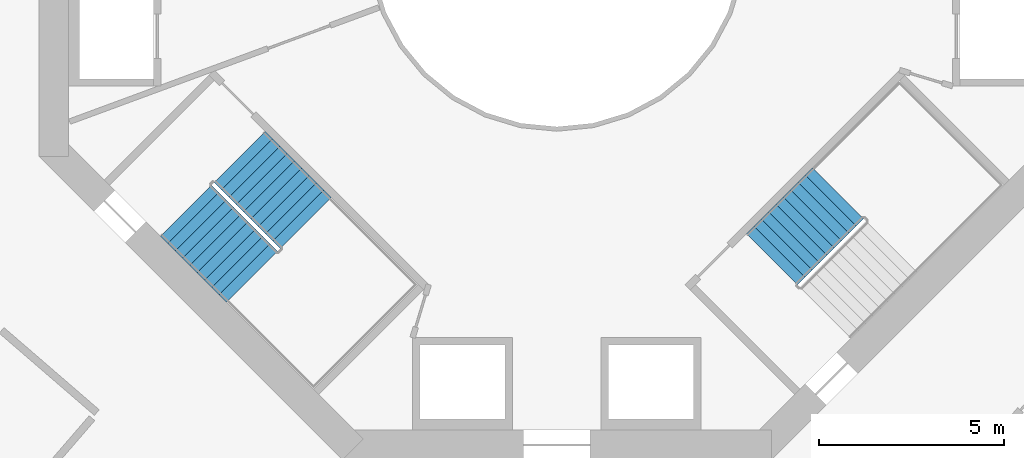
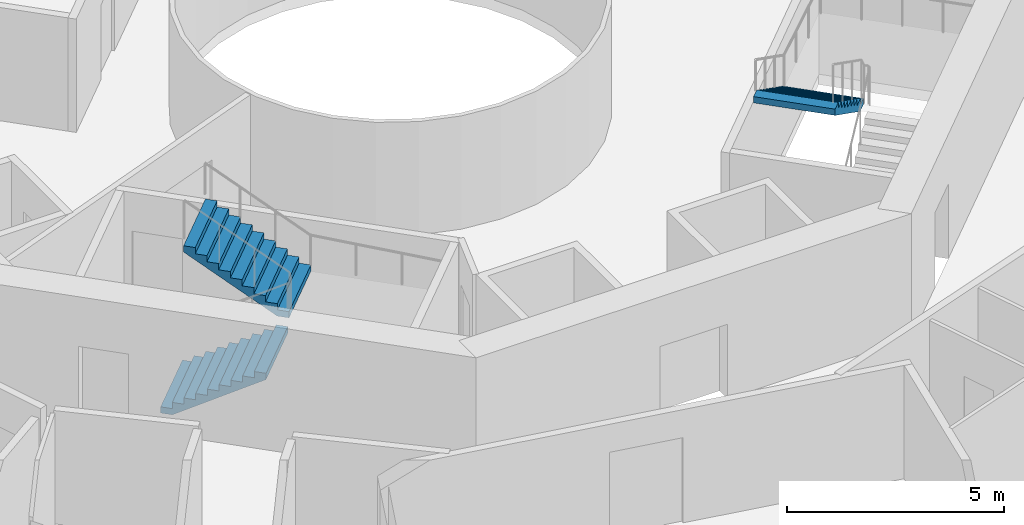
# One storey, part 21 of 23: 3 stair flights, 2 elements without a shape of their own.
"""IFC4 building model written with IfcOpenShell, lengths in metres."""

from ifc_helpers import new_model, si_unit, direction, frame, origin, place, context, subcontext, project, spatial, triangles, material, type_object, element, aggregate, save


model = new_model("IFC4")

# Units and contexts
model_context = context("Model", 3, precision=1e-05, world=origin(), true_north=direction((0.0, 1.0)))
body_context = subcontext(model_context, "Body", "Model", "MODEL_VIEW")
ifc_project = project(units=[si_unit("LENGTHUNIT", "METRE"), si_unit("AREAUNIT", "SQUARE_METRE"), si_unit("VOLUMEUNIT", "CUBIC_METRE"), si_unit("PLANEANGLEUNIT", "RADIAN"), si_unit("MASSUNIT", "GRAM", prefix="KILO")], contexts=[model_context])

# Site, building, storey
site_placement = place(None, origin())
site = spatial("IfcSite", under=ifc_project, at=site_placement, CompositionType="ELEMENT")
building_placement = place(site_placement, origin())
building = spatial("IfcBuilding", under=site, at=building_placement, Name="Verdalira Terraces Hotel", CompositionType="ELEMENT")
storey_placement = place(building_placement, frame((0.0, 0.0, 111.5)))
storey = spatial("IfcBuildingStorey", under=building, at=storey_placement, Name="L26", CompositionType="ELEMENT", Elevation=111.5)

# Stair, stair flights
ifc_material_1 = material(Name="Concrete C40", Category="concrete")
stair_type = type_object("IfcStairType", Name="Core stair 20 risers 1950 mm wide", PredefinedType="HALF_TURN_STAIR", material=ifc_material_1)
stair_1_placement = place(storey_placement, origin())
stair_1 = element("IfcStair", 1, at=stair_1_placement, inside=storey, type_object=stair_type, Name="L26 Exit stair ST2", PredefinedType="HALF_TURN_STAIR")
ifc_material_2 = material(Name="Concrete C40", Category="concrete")
stair_flight_type = type_object("IfcStairFlightType", Name="Core stair flight 20 risers 1950 mm wide", PredefinedType="STRAIGHT", material=ifc_material_2)
stair_flight_1_placement = place(storey_placement, frame((-10.023193, -7.265625, 0.0), z_axis=(0.0, 0.0, 1.0), x_axis=(0.707106781, -0.707106781, 0.0)))
stair_flight_1 = element("IfcStairFlight", 2, at=stair_flight_1_placement, type_object=stair_flight_type, Name="ST2 flight 1", NumberOfRisers=10, NumberOfTreads=9, PredefinedType="STRAIGHT", RiserHeight=0.175, TreadLength=0.28, context=body_context, shape_type="Tessellation", body=[
    triangles([(0.0, 0.974976, 0.0), (0.282715, 0.974976, 0.0), (2.52002, 0.974976, 1.398193), (0.0, -0.974976, 0.0), (0.282715, -0.974976, 0.0), (2.52002, -0.974976, 1.398193), (2.52002, 0.974976, 1.574951), (2.23999, 0.974976, 1.574951), (2.52002, -0.974976, 1.574951), (2.23999, -0.974976, 1.574951), (2.23999, 0.974976, 1.399902), (2.23999, -0.974976, 1.399902), (1.959961, 0.974976, 1.399902), (1.959961, -0.974976, 1.399902), (1.959961, 0.974976, 1.225098), (1.959961, -0.974976, 1.225098), (1.679932, 0.974976, 1.225098), (1.679932, 0.974976, 1.050049), (1.679932, -0.974976, 1.225098), (1.679932, -0.974976, 1.050049), (1.399902, 0.974976, 1.050049), (1.399902, 0.974976, 0.875), (1.399902, -0.974976, 1.050049), (1.399902, -0.974976, 0.875), (1.120117, 0.974976, 0.875), (1.120117, 0.974976, 0.699951), (1.120117, -0.974976, 0.875), (1.120117, -0.974976, 0.699951), (0.840088, 0.974976, 0.699951), (0.840088, 0.974976, 0.524902), (0.840088, -0.974976, 0.699951), (0.840088, -0.974976, 0.524902), (0.560059, 0.974976, 0.524902), (0.560059, 0.974976, 0.350098), (0.560059, -0.974976, 0.524902), (0.560059, -0.974976, 0.350098), (0.280029, 0.974976, 0.350098), (0.280029, 0.974976, 0.175049), (0.280029, -0.974976, 0.350098), (0.280029, -0.974976, 0.175049), (0.0, 0.974976, 0.175049), (0.0, -0.974976, 0.175049), (0.0, -0.91404, 0.0), (0.0, -0.91404, 0.175049), (0.0, -0.853104, 0.0), (0.0, -0.853104, 0.175049), (0.0, -0.792168, 0.0), (0.0, -0.792168, 0.175049), (0.0, -0.731232, 0.0), (0.0, -0.731232, 0.175049), (0.0, -0.670296, 0.0), (0.0, -0.670296, 0.175049), (0.0, -0.60936, 0.0), (0.0, -0.60936, 0.175049), (0.0, -0.548424, 0.0), (0.0, -0.548424, 0.175049), (0.0, -0.487488, 0.0), (0.0, -0.487488, 0.175049), (0.0, -0.426552, 0.0), (0.0, -0.426552, 0.175049), (0.0, -0.365616, 0.0), (0.0, -0.365616, 0.175049), (0.0, -0.30468, 0.0), (0.0, -0.30468, 0.175049), (0.0, -0.243744, 0.0), (0.0, -0.243744, 0.175049), (0.0, -0.182808, 0.0), (0.0, -0.182808, 0.175049), (0.0, -0.121872, 0.0), (0.0, -0.121872, 0.175049), (0.0, -0.060936, 0.0), (0.0, -0.060936, 0.175049), (0.0, 0.0, 0.0), (0.0, 0.0, 0.175049), (0.0, 0.060936, 0.0), (0.0, 0.060936, 0.175049), (0.0, 0.121872, 0.0), (0.0, 0.121872, 0.175049), (0.0, 0.182808, 0.0), (0.0, 0.182808, 0.175049), (0.0, 0.243744, 0.0), (0.0, 0.243744, 0.175049), (0.0, 0.30468, 0.0), (0.0, 0.30468, 0.175049), (0.0, 0.365616, 0.0), (0.0, 0.365616, 0.175049), (0.0, 0.426552, 0.0), (0.0, 0.426552, 0.175049), (0.0, 0.487488, 0.0), (0.0, 0.487488, 0.175049), (0.0, 0.548424, 0.0), (0.0, 0.548424, 0.175049), (0.0, 0.60936, 0.0), (0.0, 0.60936, 0.175049), (0.0, 0.670296, 0.0), (0.0, 0.670296, 0.175049), (0.0, 0.731232, 0.0), (0.0, 0.731232, 0.175049), (0.0, 0.792168, 0.0), (0.0, 0.792168, 0.175049), (0.0, 0.853104, 0.0), (0.0, 0.853104, 0.175049), (0.0, 0.91404, 0.0), (0.0, 0.91404, 0.175049), (2.52002, -0.91404, 1.574951), (2.52002, -0.853104, 1.574951), (2.52002, -0.792168, 1.574951), (2.52002, -0.731232, 1.574951), (2.52002, -0.670296, 1.574951), (2.52002, -0.60936, 1.574951), (2.52002, -0.548424, 1.574951), (2.52002, -0.487488, 1.574951), (2.52002, -0.426552, 1.574951), (2.52002, -0.365616, 1.574951), (2.52002, -0.30468, 1.574951), (2.52002, -0.243744, 1.574951), (2.52002, -0.182808, 1.574951), (2.52002, -0.121872, 1.574951), (2.52002, -0.060936, 1.574951), (2.52002, 0.0, 1.574951), (2.52002, 0.060936, 1.574951), (2.52002, 0.121872, 1.574951), (2.52002, 0.182808, 1.574951), (2.52002, 0.243744, 1.574951), (2.52002, 0.30468, 1.574951), (2.52002, 0.365616, 1.574951), (2.52002, 0.426552, 1.574951), (2.52002, 0.487488, 1.574951), (2.52002, 0.548424, 1.574951), (2.52002, 0.60936, 1.574951), (2.52002, 0.670296, 1.574951), (2.52002, 0.731232, 1.574951), (2.52002, 0.792168, 1.574951), (2.52002, 0.853104, 1.574951), (2.52002, 0.91404, 1.574951), (2.52002, -0.91404, 1.398193), (2.52002, -0.853104, 1.398193), (2.52002, -0.792168, 1.398193), (2.52002, -0.731232, 1.398193), (2.52002, -0.670296, 1.398193), (2.52002, -0.60936, 1.398193), (2.52002, -0.548424, 1.398193), (2.52002, -0.487488, 1.398193), (2.52002, -0.426552, 1.398193), (2.52002, -0.365616, 1.398193), (2.52002, -0.30468, 1.398193), (2.52002, -0.243744, 1.398193), (2.52002, -0.182808, 1.398193), (2.52002, -0.121872, 1.398193), (2.52002, -0.060936, 1.398193), (2.52002, 0.0, 1.398193), (2.52002, 0.060936, 1.398193), (2.52002, 0.121872, 1.398193), (2.52002, 0.182808, 1.398193), (2.52002, 0.243744, 1.398193), (2.52002, 0.30468, 1.398193), (2.52002, 0.365616, 1.398193), (2.52002, 0.426552, 1.398193), (2.52002, 0.487488, 1.398193), (2.52002, 0.548424, 1.398193), (2.52002, 0.60936, 1.398193), (2.52002, 0.670296, 1.398193), (2.52002, 0.731232, 1.398193), (2.52002, 0.792168, 1.398193), (2.52002, 0.853104, 1.398193), (2.52002, 0.91404, 1.398193)], [[1, 3, 2], [4, 5, 6], [3, 8, 7], [6, 9, 10], [3, 11, 8], [6, 10, 12], [3, 13, 11], [6, 12, 14], [3, 15, 13], [6, 14, 16], [15, 18, 17], [16, 19, 20], [3, 18, 15], [6, 16, 20], [18, 22, 21], [20, 23, 24], [3, 22, 18], [6, 20, 24], [22, 26, 25], [24, 27, 28], [3, 26, 22], [6, 24, 28], [26, 30, 29], [28, 31, 32], [3, 30, 26], [6, 28, 32], [1, 30, 3], [4, 6, 32], [30, 34, 33], [32, 35, 36], [34, 38, 37], [36, 39, 40], [30, 38, 34], [32, 36, 40], [1, 38, 30], [4, 32, 40], [38, 1, 41], [40, 42, 4], [4, 44, 43], [4, 42, 44], [43, 46, 45], [43, 44, 46], [45, 48, 47], [45, 46, 48], [47, 50, 49], [47, 48, 50], [49, 52, 51], [49, 50, 52], [51, 54, 53], [51, 52, 54], [53, 56, 55], [53, 54, 56], [55, 58, 57], [55, 56, 58], [57, 60, 59], [57, 58, 60], [59, 62, 61], [59, 60, 62], [61, 64, 63], [61, 62, 64], [63, 66, 65], [63, 64, 66], [65, 68, 67], [65, 66, 68], [67, 70, 69], [67, 68, 70], [69, 72, 71], [69, 70, 72], [71, 74, 73], [71, 72, 74], [73, 76, 75], [73, 74, 76], [75, 78, 77], [75, 76, 78], [77, 80, 79], [77, 78, 80], [79, 82, 81], [79, 80, 82], [81, 84, 83], [81, 82, 84], [83, 86, 85], [83, 84, 86], [85, 88, 87], [85, 86, 88], [87, 90, 89], [87, 88, 90], [89, 92, 91], [89, 90, 92], [91, 94, 93], [91, 92, 94], [93, 96, 95], [93, 94, 96], [95, 98, 97], [95, 96, 98], [97, 100, 99], [97, 98, 100], [99, 102, 101], [99, 100, 102], [101, 104, 103], [101, 102, 104], [103, 41, 1], [103, 104, 41], [42, 40, 44], [44, 40, 46], [46, 40, 48], [48, 40, 50], [50, 40, 52], [52, 40, 54], [54, 40, 56], [56, 40, 58], [58, 40, 60], [60, 40, 62], [62, 40, 64], [64, 40, 66], [66, 40, 68], [68, 40, 70], [70, 40, 72], [72, 40, 74], [74, 40, 76], [76, 40, 78], [78, 40, 80], [80, 40, 82], [82, 40, 84], [84, 40, 86], [86, 40, 88], [88, 40, 90], [90, 40, 92], [92, 40, 94], [94, 40, 96], [96, 40, 98], [98, 40, 100], [100, 40, 102], [102, 40, 104], [104, 40, 41], [41, 40, 38], [40, 37, 38], [40, 39, 37], [39, 34, 37], [39, 36, 34], [36, 33, 34], [36, 35, 33], [35, 30, 33], [35, 32, 30], [32, 29, 30], [32, 31, 29], [31, 26, 29], [31, 28, 26], [28, 25, 26], [28, 27, 25], [27, 22, 25], [27, 24, 22], [24, 21, 22], [24, 23, 21], [23, 18, 21], [23, 20, 18], [20, 17, 18], [20, 19, 17], [19, 15, 17], [19, 16, 15], [16, 13, 15], [16, 14, 13], [14, 11, 13], [14, 12, 11], [12, 8, 11], [12, 10, 8], [9, 105, 10], [105, 106, 10], [106, 107, 10], [107, 108, 10], [108, 109, 10], [109, 110, 10], [110, 111, 10], [111, 112, 10], [112, 113, 10], [113, 114, 10], [114, 115, 10], [115, 116, 10], [116, 117, 10], [117, 118, 10], [118, 119, 10], [119, 120, 10], [120, 121, 10], [121, 122, 10], [122, 123, 10], [123, 124, 10], [124, 125, 10], [125, 126, 10], [126, 127, 10], [127, 128, 10], [128, 129, 10], [129, 130, 10], [130, 131, 10], [131, 132, 10], [132, 133, 10], [133, 134, 10], [134, 135, 10], [135, 7, 10], [7, 8, 10], [9, 136, 105], [9, 6, 136], [105, 137, 106], [105, 136, 137], [106, 138, 107], [106, 137, 138], [107, 139, 108], [107, 138, 139], [108, 140, 109], [108, 139, 140], [109, 141, 110], [109, 140, 141], [110, 142, 111], [110, 141, 142], [111, 143, 112], [111, 142, 143], [112, 144, 113], [112, 143, 144], [113, 145, 114], [113, 144, 145], [114, 146, 115], [114, 145, 146], [115, 147, 116], [115, 146, 147], [116, 148, 117], [116, 147, 148], [117, 149, 118], [117, 148, 149], [118, 150, 119], [118, 149, 150], [119, 151, 120], [119, 150, 151], [120, 152, 121], [120, 151, 152], [121, 153, 122], [121, 152, 153], [122, 154, 123], [122, 153, 154], [123, 155, 124], [123, 154, 155], [124, 156, 125], [124, 155, 156], [125, 157, 126], [125, 156, 157], [126, 158, 127], [126, 157, 158], [127, 159, 128], [127, 158, 159], [128, 160, 129], [128, 159, 160], [129, 161, 130], [129, 160, 161], [130, 162, 131], [130, 161, 162], [131, 163, 132], [131, 162, 163], [132, 164, 133], [132, 163, 164], [133, 165, 134], [133, 164, 165], [134, 166, 135], [134, 165, 166], [135, 3, 7], [135, 166, 3], [6, 5, 136], [136, 5, 137], [137, 5, 138], [138, 5, 139], [139, 5, 140], [140, 5, 141], [141, 5, 142], [142, 5, 143], [143, 5, 144], [144, 5, 145], [145, 5, 146], [146, 5, 147], [147, 5, 148], [148, 5, 149], [149, 5, 150], [150, 5, 151], [151, 5, 152], [152, 5, 153], [153, 5, 154], [154, 5, 155], [155, 5, 156], [156, 5, 157], [157, 5, 158], [158, 5, 159], [159, 5, 160], [160, 5, 161], [161, 5, 162], [162, 5, 163], [163, 5, 164], [164, 5, 165], [165, 5, 166], [166, 5, 3], [3, 5, 2], [4, 43, 5], [43, 45, 5], [45, 47, 5], [47, 49, 5], [49, 51, 5], [51, 53, 5], [53, 55, 5], [55, 57, 5], [57, 59, 5], [59, 61, 5], [61, 63, 5], [63, 65, 5], [65, 67, 5], [67, 69, 5], [69, 71, 5], [71, 73, 5], [73, 75, 5], [75, 77, 5], [77, 79, 5], [79, 81, 5], [81, 83, 5], [83, 85, 5], [85, 87, 5], [87, 89, 5], [89, 91, 5], [91, 93, 5], [93, 95, 5], [95, 97, 5], [97, 99, 5], [99, 101, 5], [101, 103, 5], [103, 1, 5], [1, 2, 5]], closed=True),
])
stair_flight_2_placement = place(storey_placement, frame((-6.791748, -7.5979, 1.75), z_axis=(0.0, 0.0, 1.0), x_axis=(-0.707106781, 0.707106781, 0.0)))
stair_flight_2 = element("IfcStairFlight", 3, at=stair_flight_2_placement, type_object=stair_flight_type, Name="ST2 flight 2", NumberOfRisers=10, NumberOfTreads=9, PredefinedType="STRAIGHT", RiserHeight=0.175, TreadLength=0.28, context=body_context, shape_type="Tessellation", body=[
    triangles([(0.0, 0.974976, 0.0), (0.282715, 0.974976, 0.0), (2.52002, 0.974976, 1.398193), (0.0, -0.974976, 0.0), (0.282715, -0.974976, 0.0), (2.52002, -0.974976, 1.398193), (2.52002, 0.974976, 1.574951), (2.23999, 0.974976, 1.574951), (2.52002, -0.974976, 1.574951), (2.23999, -0.974976, 1.574951), (2.23999, 0.974976, 1.399902), (2.23999, -0.974976, 1.399902), (1.959961, 0.974976, 1.399902), (1.959961, -0.974976, 1.399902), (1.959961, 0.974976, 1.225098), (1.959961, -0.974976, 1.225098), (1.679932, 0.974976, 1.225098), (1.679932, 0.974976, 1.050049), (1.679932, -0.974976, 1.225098), (1.679932, -0.974976, 1.050049), (1.399902, 0.974976, 1.050049), (1.399902, 0.974976, 0.875), (1.399902, -0.974976, 1.050049), (1.399902, -0.974976, 0.875), (1.120117, 0.974976, 0.875), (1.120117, 0.974976, 0.699951), (1.120117, -0.974976, 0.875), (1.120117, -0.974976, 0.699951), (0.840088, 0.974976, 0.699951), (0.840088, 0.974976, 0.524902), (0.840088, -0.974976, 0.699951), (0.840088, -0.974976, 0.524902), (0.560059, 0.974976, 0.524902), (0.560059, 0.974976, 0.350098), (0.560059, -0.974976, 0.524902), (0.560059, -0.974976, 0.350098), (0.280029, 0.974976, 0.350098), (0.280029, 0.974976, 0.175049), (0.280029, -0.974976, 0.350098), (0.280029, -0.974976, 0.175049), (0.0, 0.974976, 0.175049), (0.0, -0.974976, 0.175049), (0.0, -0.91404, 0.0), (0.0, -0.91404, 0.175049), (0.0, -0.853104, 0.0), (0.0, -0.853104, 0.175049), (0.0, -0.792168, 0.0), (0.0, -0.792168, 0.175049), (0.0, -0.731232, 0.0), (0.0, -0.731232, 0.175049), (0.0, -0.670296, 0.0), (0.0, -0.670296, 0.175049), (0.0, -0.60936, 0.0), (0.0, -0.60936, 0.175049), (0.0, -0.548424, 0.0), (0.0, -0.548424, 0.175049), (0.0, -0.487488, 0.0), (0.0, -0.487488, 0.175049), (0.0, -0.426552, 0.0), (0.0, -0.426552, 0.175049), (0.0, -0.365616, 0.0), (0.0, -0.365616, 0.175049), (0.0, -0.30468, 0.0), (0.0, -0.30468, 0.175049), (0.0, -0.243744, 0.0), (0.0, -0.243744, 0.175049), (0.0, -0.182808, 0.0), (0.0, -0.182808, 0.175049), (0.0, -0.121872, 0.0), (0.0, -0.121872, 0.175049), (0.0, -0.060936, 0.0), (0.0, -0.060936, 0.175049), (0.0, 0.0, 0.0), (0.0, 0.0, 0.175049), (0.0, 0.060936, 0.0), (0.0, 0.060936, 0.175049), (0.0, 0.121872, 0.0), (0.0, 0.121872, 0.175049), (0.0, 0.182808, 0.0), (0.0, 0.182808, 0.175049), (0.0, 0.243744, 0.0), (0.0, 0.243744, 0.175049), (0.0, 0.30468, 0.0), (0.0, 0.30468, 0.175049), (0.0, 0.365616, 0.0), (0.0, 0.365616, 0.175049), (0.0, 0.426552, 0.0), (0.0, 0.426552, 0.175049), (0.0, 0.487488, 0.0), (0.0, 0.487488, 0.175049), (0.0, 0.548424, 0.0), (0.0, 0.548424, 0.175049), (0.0, 0.60936, 0.0), (0.0, 0.60936, 0.175049), (0.0, 0.670296, 0.0), (0.0, 0.670296, 0.175049), (0.0, 0.731232, 0.0), (0.0, 0.731232, 0.175049), (0.0, 0.792168, 0.0), (0.0, 0.792168, 0.175049), (0.0, 0.853104, 0.0), (0.0, 0.853104, 0.175049), (0.0, 0.91404, 0.0), (0.0, 0.91404, 0.175049), (2.52002, -0.91404, 1.574951), (2.52002, -0.853104, 1.574951), (2.52002, -0.792168, 1.574951), (2.52002, -0.731232, 1.574951), (2.52002, -0.670296, 1.574951), (2.52002, -0.60936, 1.574951), (2.52002, -0.548424, 1.574951), (2.52002, -0.487488, 1.574951), (2.52002, -0.426552, 1.574951), (2.52002, -0.365616, 1.574951), (2.52002, -0.30468, 1.574951), (2.52002, -0.243744, 1.574951), (2.52002, -0.182808, 1.574951), (2.52002, -0.121872, 1.574951), (2.52002, -0.060936, 1.574951), (2.52002, 0.0, 1.574951), (2.52002, 0.060936, 1.574951), (2.52002, 0.121872, 1.574951), (2.52002, 0.182808, 1.574951), (2.52002, 0.243744, 1.574951), (2.52002, 0.30468, 1.574951), (2.52002, 0.365616, 1.574951), (2.52002, 0.426552, 1.574951), (2.52002, 0.487488, 1.574951), (2.52002, 0.548424, 1.574951), (2.52002, 0.60936, 1.574951), (2.52002, 0.670296, 1.574951), (2.52002, 0.731232, 1.574951), (2.52002, 0.792168, 1.574951), (2.52002, 0.853104, 1.574951), (2.52002, 0.91404, 1.574951), (2.52002, -0.91404, 1.398193), (2.52002, -0.853104, 1.398193), (2.52002, -0.792168, 1.398193), (2.52002, -0.731232, 1.398193), (2.52002, -0.670296, 1.398193), (2.52002, -0.60936, 1.398193), (2.52002, -0.548424, 1.398193), (2.52002, -0.487488, 1.398193), (2.52002, -0.426552, 1.398193), (2.52002, -0.365616, 1.398193), (2.52002, -0.30468, 1.398193), (2.52002, -0.243744, 1.398193), (2.52002, -0.182808, 1.398193), (2.52002, -0.121872, 1.398193), (2.52002, -0.060936, 1.398193), (2.52002, 0.0, 1.398193), (2.52002, 0.060936, 1.398193), (2.52002, 0.121872, 1.398193), (2.52002, 0.182808, 1.398193), (2.52002, 0.243744, 1.398193), (2.52002, 0.30468, 1.398193), (2.52002, 0.365616, 1.398193), (2.52002, 0.426552, 1.398193), (2.52002, 0.487488, 1.398193), (2.52002, 0.548424, 1.398193), (2.52002, 0.60936, 1.398193), (2.52002, 0.670296, 1.398193), (2.52002, 0.731232, 1.398193), (2.52002, 0.792168, 1.398193), (2.52002, 0.853104, 1.398193), (2.52002, 0.91404, 1.398193)], [[1, 3, 2], [4, 5, 6], [3, 8, 7], [6, 9, 10], [3, 11, 8], [6, 10, 12], [3, 13, 11], [6, 12, 14], [3, 15, 13], [6, 14, 16], [15, 18, 17], [16, 19, 20], [3, 18, 15], [6, 16, 20], [18, 22, 21], [20, 23, 24], [3, 22, 18], [6, 20, 24], [22, 26, 25], [24, 27, 28], [3, 26, 22], [6, 24, 28], [26, 30, 29], [28, 31, 32], [3, 30, 26], [6, 28, 32], [1, 30, 3], [4, 6, 32], [30, 34, 33], [32, 35, 36], [34, 38, 37], [36, 39, 40], [30, 38, 34], [32, 36, 40], [1, 38, 30], [4, 32, 40], [38, 1, 41], [40, 42, 4], [4, 44, 43], [4, 42, 44], [43, 46, 45], [43, 44, 46], [45, 48, 47], [45, 46, 48], [47, 50, 49], [47, 48, 50], [49, 52, 51], [49, 50, 52], [51, 54, 53], [51, 52, 54], [53, 56, 55], [53, 54, 56], [55, 58, 57], [55, 56, 58], [57, 60, 59], [57, 58, 60], [59, 62, 61], [59, 60, 62], [61, 64, 63], [61, 62, 64], [63, 66, 65], [63, 64, 66], [65, 68, 67], [65, 66, 68], [67, 70, 69], [67, 68, 70], [69, 72, 71], [69, 70, 72], [71, 74, 73], [71, 72, 74], [73, 76, 75], [73, 74, 76], [75, 78, 77], [75, 76, 78], [77, 80, 79], [77, 78, 80], [79, 82, 81], [79, 80, 82], [81, 84, 83], [81, 82, 84], [83, 86, 85], [83, 84, 86], [85, 88, 87], [85, 86, 88], [87, 90, 89], [87, 88, 90], [89, 92, 91], [89, 90, 92], [91, 94, 93], [91, 92, 94], [93, 96, 95], [93, 94, 96], [95, 98, 97], [95, 96, 98], [97, 100, 99], [97, 98, 100], [99, 102, 101], [99, 100, 102], [101, 104, 103], [101, 102, 104], [103, 41, 1], [103, 104, 41], [42, 40, 44], [44, 40, 46], [46, 40, 48], [48, 40, 50], [50, 40, 52], [52, 40, 54], [54, 40, 56], [56, 40, 58], [58, 40, 60], [60, 40, 62], [62, 40, 64], [64, 40, 66], [66, 40, 68], [68, 40, 70], [70, 40, 72], [72, 40, 74], [74, 40, 76], [76, 40, 78], [78, 40, 80], [80, 40, 82], [82, 40, 84], [84, 40, 86], [86, 40, 88], [88, 40, 90], [90, 40, 92], [92, 40, 94], [94, 40, 96], [96, 40, 98], [98, 40, 100], [100, 40, 102], [102, 40, 104], [104, 40, 41], [41, 40, 38], [40, 37, 38], [40, 39, 37], [39, 34, 37], [39, 36, 34], [36, 33, 34], [36, 35, 33], [35, 30, 33], [35, 32, 30], [32, 29, 30], [32, 31, 29], [31, 26, 29], [31, 28, 26], [28, 25, 26], [28, 27, 25], [27, 22, 25], [27, 24, 22], [24, 21, 22], [24, 23, 21], [23, 18, 21], [23, 20, 18], [20, 17, 18], [20, 19, 17], [19, 15, 17], [19, 16, 15], [16, 13, 15], [16, 14, 13], [14, 11, 13], [14, 12, 11], [12, 8, 11], [12, 10, 8], [9, 105, 10], [105, 106, 10], [106, 107, 10], [107, 108, 10], [108, 109, 10], [109, 110, 10], [110, 111, 10], [111, 112, 10], [112, 113, 10], [113, 114, 10], [114, 115, 10], [115, 116, 10], [116, 117, 10], [117, 118, 10], [118, 119, 10], [119, 120, 10], [120, 121, 10], [121, 122, 10], [122, 123, 10], [123, 124, 10], [124, 125, 10], [125, 126, 10], [126, 127, 10], [127, 128, 10], [128, 129, 10], [129, 130, 10], [130, 131, 10], [131, 132, 10], [132, 133, 10], [133, 134, 10], [134, 135, 10], [135, 7, 10], [7, 8, 10], [9, 136, 105], [9, 6, 136], [105, 137, 106], [105, 136, 137], [106, 138, 107], [106, 137, 138], [107, 139, 108], [107, 138, 139], [108, 140, 109], [108, 139, 140], [109, 141, 110], [109, 140, 141], [110, 142, 111], [110, 141, 142], [111, 143, 112], [111, 142, 143], [112, 144, 113], [112, 143, 144], [113, 145, 114], [113, 144, 145], [114, 146, 115], [114, 145, 146], [115, 147, 116], [115, 146, 147], [116, 148, 117], [116, 147, 148], [117, 149, 118], [117, 148, 149], [118, 150, 119], [118, 149, 150], [119, 151, 120], [119, 150, 151], [120, 152, 121], [120, 151, 152], [121, 153, 122], [121, 152, 153], [122, 154, 123], [122, 153, 154], [123, 155, 124], [123, 154, 155], [124, 156, 125], [124, 155, 156], [125, 157, 126], [125, 156, 157], [126, 158, 127], [126, 157, 158], [127, 159, 128], [127, 158, 159], [128, 160, 129], [128, 159, 160], [129, 161, 130], [129, 160, 161], [130, 162, 131], [130, 161, 162], [131, 163, 132], [131, 162, 163], [132, 164, 133], [132, 163, 164], [133, 165, 134], [133, 164, 165], [134, 166, 135], [134, 165, 166], [135, 3, 7], [135, 166, 3], [6, 5, 136], [136, 5, 137], [137, 5, 138], [138, 5, 139], [139, 5, 140], [140, 5, 141], [141, 5, 142], [142, 5, 143], [143, 5, 144], [144, 5, 145], [145, 5, 146], [146, 5, 147], [147, 5, 148], [148, 5, 149], [149, 5, 150], [150, 5, 151], [151, 5, 152], [152, 5, 153], [153, 5, 154], [154, 5, 155], [155, 5, 156], [156, 5, 157], [157, 5, 158], [158, 5, 159], [159, 5, 160], [160, 5, 161], [161, 5, 162], [162, 5, 163], [163, 5, 164], [164, 5, 165], [165, 5, 166], [166, 5, 3], [3, 5, 2], [4, 43, 5], [43, 45, 5], [45, 47, 5], [47, 49, 5], [49, 51, 5], [51, 53, 5], [53, 55, 5], [55, 57, 5], [57, 59, 5], [59, 61, 5], [61, 63, 5], [63, 65, 5], [65, 67, 5], [67, 69, 5], [69, 71, 5], [71, 73, 5], [73, 75, 5], [75, 77, 5], [77, 79, 5], [79, 81, 5], [81, 83, 5], [83, 85, 5], [85, 87, 5], [87, 89, 5], [89, 91, 5], [91, 93, 5], [93, 95, 5], [95, 97, 5], [97, 99, 5], [99, 101, 5], [101, 103, 5], [103, 1, 5], [1, 2, 5]], closed=True),
])
aggregate(stair_1, [stair_flight_1, stair_flight_2])

# Stair, stair flight
stair_2_placement = place(storey_placement, origin())
stair_2 = element("IfcStair", 4, at=stair_2_placement, inside=storey, type_object=stair_type, Name="L26 Exit stair ST3", PredefinedType="HALF_TURN_STAIR")
stair_flight_3_placement = place(storey_placement, frame((7.5979, -6.791748, 1.75), z_axis=(0.0, 0.0, 1.0), x_axis=(-0.707106781, -0.707106781, 0.0)))
stair_flight_3 = element("IfcStairFlight", 5, at=stair_flight_3_placement, type_object=stair_flight_type, Name="ST3 flight 2", NumberOfRisers=10, NumberOfTreads=9, PredefinedType="STRAIGHT", RiserHeight=0.175, TreadLength=0.28, context=body_context, shape_type="Tessellation", body=[
    triangles([(0.0, 0.974976, 0.0), (0.282715, 0.974976, 0.0), (2.52002, 0.974976, 1.398193), (0.0, -0.974976, 0.0), (0.282715, -0.974976, 0.0), (2.52002, -0.974976, 1.398193), (2.52002, 0.974976, 1.574951), (2.23999, 0.974976, 1.574951), (2.52002, -0.974976, 1.574951), (2.23999, -0.974976, 1.574951), (2.23999, 0.974976, 1.399902), (2.23999, -0.974976, 1.399902), (1.959961, 0.974976, 1.399902), (1.959961, -0.974976, 1.399902), (1.959961, 0.974976, 1.225098), (1.959961, -0.974976, 1.225098), (1.679932, 0.974976, 1.225098), (1.679932, 0.974976, 1.050049), (1.679932, -0.974976, 1.225098), (1.679932, -0.974976, 1.050049), (1.399902, 0.974976, 1.050049), (1.399902, 0.974976, 0.875), (1.399902, -0.974976, 1.050049), (1.399902, -0.974976, 0.875), (1.120117, 0.974976, 0.875), (1.120117, 0.974976, 0.699951), (1.120117, -0.974976, 0.875), (1.120117, -0.974976, 0.699951), (0.840088, 0.974976, 0.699951), (0.840088, 0.974976, 0.524902), (0.840088, -0.974976, 0.699951), (0.840088, -0.974976, 0.524902), (0.560059, 0.974976, 0.524902), (0.560059, 0.974976, 0.350098), (0.560059, -0.974976, 0.524902), (0.560059, -0.974976, 0.350098), (0.280029, 0.974976, 0.350098), (0.280029, 0.974976, 0.175049), (0.280029, -0.974976, 0.350098), (0.280029, -0.974976, 0.175049), (0.0, 0.974976, 0.175049), (0.0, -0.974976, 0.175049), (0.0, -0.91404, 0.0), (0.0, -0.91404, 0.175049), (0.0, -0.853104, 0.0), (0.0, -0.853104, 0.175049), (0.0, -0.792168, 0.0), (0.0, -0.792168, 0.175049), (0.0, -0.731232, 0.0), (0.0, -0.731232, 0.175049), (0.0, -0.670296, 0.0), (0.0, -0.670296, 0.175049), (0.0, -0.60936, 0.0), (0.0, -0.60936, 0.175049), (0.0, -0.548424, 0.0), (0.0, -0.548424, 0.175049), (0.0, -0.487488, 0.0), (0.0, -0.487488, 0.175049), (0.0, -0.426552, 0.0), (0.0, -0.426552, 0.175049), (0.0, -0.365616, 0.0), (0.0, -0.365616, 0.175049), (0.0, -0.30468, 0.0), (0.0, -0.30468, 0.175049), (0.0, -0.243744, 0.0), (0.0, -0.243744, 0.175049), (0.0, -0.182808, 0.0), (0.0, -0.182808, 0.175049), (0.0, -0.121872, 0.0), (0.0, -0.121872, 0.175049), (0.0, -0.060936, 0.0), (0.0, -0.060936, 0.175049), (0.0, 0.0, 0.0), (0.0, 0.0, 0.175049), (0.0, 0.060936, 0.0), (0.0, 0.060936, 0.175049), (0.0, 0.121872, 0.0), (0.0, 0.121872, 0.175049), (0.0, 0.182808, 0.0), (0.0, 0.182808, 0.175049), (0.0, 0.243744, 0.0), (0.0, 0.243744, 0.175049), (0.0, 0.30468, 0.0), (0.0, 0.30468, 0.175049), (0.0, 0.365616, 0.0), (0.0, 0.365616, 0.175049), (0.0, 0.426552, 0.0), (0.0, 0.426552, 0.175049), (0.0, 0.487488, 0.0), (0.0, 0.487488, 0.175049), (0.0, 0.548424, 0.0), (0.0, 0.548424, 0.175049), (0.0, 0.60936, 0.0), (0.0, 0.60936, 0.175049), (0.0, 0.670296, 0.0), (0.0, 0.670296, 0.175049), (0.0, 0.731232, 0.0), (0.0, 0.731232, 0.175049), (0.0, 0.792168, 0.0), (0.0, 0.792168, 0.175049), (0.0, 0.853104, 0.0), (0.0, 0.853104, 0.175049), (0.0, 0.91404, 0.0), (0.0, 0.91404, 0.175049), (2.52002, -0.91404, 1.574951), (2.52002, -0.853104, 1.574951), (2.52002, -0.792168, 1.574951), (2.52002, -0.731232, 1.574951), (2.52002, -0.670296, 1.574951), (2.52002, -0.60936, 1.574951), (2.52002, -0.548424, 1.574951), (2.52002, -0.487488, 1.574951), (2.52002, -0.426552, 1.574951), (2.52002, -0.365616, 1.574951), (2.52002, -0.30468, 1.574951), (2.52002, -0.243744, 1.574951), (2.52002, -0.182808, 1.574951), (2.52002, -0.121872, 1.574951), (2.52002, -0.060936, 1.574951), (2.52002, 0.0, 1.574951), (2.52002, 0.060936, 1.574951), (2.52002, 0.121872, 1.574951), (2.52002, 0.182808, 1.574951), (2.52002, 0.243744, 1.574951), (2.52002, 0.30468, 1.574951), (2.52002, 0.365616, 1.574951), (2.52002, 0.426552, 1.574951), (2.52002, 0.487488, 1.574951), (2.52002, 0.548424, 1.574951), (2.52002, 0.60936, 1.574951), (2.52002, 0.670296, 1.574951), (2.52002, 0.731232, 1.574951), (2.52002, 0.792168, 1.574951), (2.52002, 0.853104, 1.574951), (2.52002, 0.91404, 1.574951), (2.52002, -0.91404, 1.398193), (2.52002, -0.853104, 1.398193), (2.52002, -0.792168, 1.398193), (2.52002, -0.731232, 1.398193), (2.52002, -0.670296, 1.398193), (2.52002, -0.60936, 1.398193), (2.52002, -0.548424, 1.398193), (2.52002, -0.487488, 1.398193), (2.52002, -0.426552, 1.398193), (2.52002, -0.365616, 1.398193), (2.52002, -0.30468, 1.398193), (2.52002, -0.243744, 1.398193), (2.52002, -0.182808, 1.398193), (2.52002, -0.121872, 1.398193), (2.52002, -0.060936, 1.398193), (2.52002, 0.0, 1.398193), (2.52002, 0.060936, 1.398193), (2.52002, 0.121872, 1.398193), (2.52002, 0.182808, 1.398193), (2.52002, 0.243744, 1.398193), (2.52002, 0.30468, 1.398193), (2.52002, 0.365616, 1.398193), (2.52002, 0.426552, 1.398193), (2.52002, 0.487488, 1.398193), (2.52002, 0.548424, 1.398193), (2.52002, 0.60936, 1.398193), (2.52002, 0.670296, 1.398193), (2.52002, 0.731232, 1.398193), (2.52002, 0.792168, 1.398193), (2.52002, 0.853104, 1.398193), (2.52002, 0.91404, 1.398193)], [[1, 3, 2], [4, 5, 6], [3, 8, 7], [6, 9, 10], [3, 11, 8], [6, 10, 12], [3, 13, 11], [6, 12, 14], [3, 15, 13], [6, 14, 16], [15, 18, 17], [16, 19, 20], [3, 18, 15], [6, 16, 20], [18, 22, 21], [20, 23, 24], [3, 22, 18], [6, 20, 24], [22, 26, 25], [24, 27, 28], [3, 26, 22], [6, 24, 28], [26, 30, 29], [28, 31, 32], [3, 30, 26], [6, 28, 32], [1, 30, 3], [4, 6, 32], [30, 34, 33], [32, 35, 36], [34, 38, 37], [36, 39, 40], [30, 38, 34], [32, 36, 40], [1, 38, 30], [4, 32, 40], [38, 1, 41], [40, 42, 4], [4, 44, 43], [4, 42, 44], [43, 46, 45], [43, 44, 46], [45, 48, 47], [45, 46, 48], [47, 50, 49], [47, 48, 50], [49, 52, 51], [49, 50, 52], [51, 54, 53], [51, 52, 54], [53, 56, 55], [53, 54, 56], [55, 58, 57], [55, 56, 58], [57, 60, 59], [57, 58, 60], [59, 62, 61], [59, 60, 62], [61, 64, 63], [61, 62, 64], [63, 66, 65], [63, 64, 66], [65, 68, 67], [65, 66, 68], [67, 70, 69], [67, 68, 70], [69, 72, 71], [69, 70, 72], [71, 74, 73], [71, 72, 74], [73, 76, 75], [73, 74, 76], [75, 78, 77], [75, 76, 78], [77, 80, 79], [77, 78, 80], [79, 82, 81], [79, 80, 82], [81, 84, 83], [81, 82, 84], [83, 86, 85], [83, 84, 86], [85, 88, 87], [85, 86, 88], [87, 90, 89], [87, 88, 90], [89, 92, 91], [89, 90, 92], [91, 94, 93], [91, 92, 94], [93, 96, 95], [93, 94, 96], [95, 98, 97], [95, 96, 98], [97, 100, 99], [97, 98, 100], [99, 102, 101], [99, 100, 102], [101, 104, 103], [101, 102, 104], [103, 41, 1], [103, 104, 41], [42, 40, 44], [44, 40, 46], [46, 40, 48], [48, 40, 50], [50, 40, 52], [52, 40, 54], [54, 40, 56], [56, 40, 58], [58, 40, 60], [60, 40, 62], [62, 40, 64], [64, 40, 66], [66, 40, 68], [68, 40, 70], [70, 40, 72], [72, 40, 74], [74, 40, 76], [76, 40, 78], [78, 40, 80], [80, 40, 82], [82, 40, 84], [84, 40, 86], [86, 40, 88], [88, 40, 90], [90, 40, 92], [92, 40, 94], [94, 40, 96], [96, 40, 98], [98, 40, 100], [100, 40, 102], [102, 40, 104], [104, 40, 41], [41, 40, 38], [40, 37, 38], [40, 39, 37], [39, 34, 37], [39, 36, 34], [36, 33, 34], [36, 35, 33], [35, 30, 33], [35, 32, 30], [32, 29, 30], [32, 31, 29], [31, 26, 29], [31, 28, 26], [28, 25, 26], [28, 27, 25], [27, 22, 25], [27, 24, 22], [24, 21, 22], [24, 23, 21], [23, 18, 21], [23, 20, 18], [20, 17, 18], [20, 19, 17], [19, 15, 17], [19, 16, 15], [16, 13, 15], [16, 14, 13], [14, 11, 13], [14, 12, 11], [12, 8, 11], [12, 10, 8], [9, 105, 10], [105, 106, 10], [106, 107, 10], [107, 108, 10], [108, 109, 10], [109, 110, 10], [110, 111, 10], [111, 112, 10], [112, 113, 10], [113, 114, 10], [114, 115, 10], [115, 116, 10], [116, 117, 10], [117, 118, 10], [118, 119, 10], [119, 120, 10], [120, 121, 10], [121, 122, 10], [122, 123, 10], [123, 124, 10], [124, 125, 10], [125, 126, 10], [126, 127, 10], [127, 128, 10], [128, 129, 10], [129, 130, 10], [130, 131, 10], [131, 132, 10], [132, 133, 10], [133, 134, 10], [134, 135, 10], [135, 7, 10], [7, 8, 10], [9, 136, 105], [9, 6, 136], [105, 137, 106], [105, 136, 137], [106, 138, 107], [106, 137, 138], [107, 139, 108], [107, 138, 139], [108, 140, 109], [108, 139, 140], [109, 141, 110], [109, 140, 141], [110, 142, 111], [110, 141, 142], [111, 143, 112], [111, 142, 143], [112, 144, 113], [112, 143, 144], [113, 145, 114], [113, 144, 145], [114, 146, 115], [114, 145, 146], [115, 147, 116], [115, 146, 147], [116, 148, 117], [116, 147, 148], [117, 149, 118], [117, 148, 149], [118, 150, 119], [118, 149, 150], [119, 151, 120], [119, 150, 151], [120, 152, 121], [120, 151, 152], [121, 153, 122], [121, 152, 153], [122, 154, 123], [122, 153, 154], [123, 155, 124], [123, 154, 155], [124, 156, 125], [124, 155, 156], [125, 157, 126], [125, 156, 157], [126, 158, 127], [126, 157, 158], [127, 159, 128], [127, 158, 159], [128, 160, 129], [128, 159, 160], [129, 161, 130], [129, 160, 161], [130, 162, 131], [130, 161, 162], [131, 163, 132], [131, 162, 163], [132, 164, 133], [132, 163, 164], [133, 165, 134], [133, 164, 165], [134, 166, 135], [134, 165, 166], [135, 3, 7], [135, 166, 3], [6, 5, 136], [136, 5, 137], [137, 5, 138], [138, 5, 139], [139, 5, 140], [140, 5, 141], [141, 5, 142], [142, 5, 143], [143, 5, 144], [144, 5, 145], [145, 5, 146], [146, 5, 147], [147, 5, 148], [148, 5, 149], [149, 5, 150], [150, 5, 151], [151, 5, 152], [152, 5, 153], [153, 5, 154], [154, 5, 155], [155, 5, 156], [156, 5, 157], [157, 5, 158], [158, 5, 159], [159, 5, 160], [160, 5, 161], [161, 5, 162], [162, 5, 163], [163, 5, 164], [164, 5, 165], [165, 5, 166], [166, 5, 3], [3, 5, 2], [4, 43, 5], [43, 45, 5], [45, 47, 5], [47, 49, 5], [49, 51, 5], [51, 53, 5], [53, 55, 5], [55, 57, 5], [57, 59, 5], [59, 61, 5], [61, 63, 5], [63, 65, 5], [65, 67, 5], [67, 69, 5], [69, 71, 5], [71, 73, 5], [73, 75, 5], [75, 77, 5], [77, 79, 5], [79, 81, 5], [81, 83, 5], [83, 85, 5], [85, 87, 5], [87, 89, 5], [89, 91, 5], [91, 93, 5], [93, 95, 5], [95, 97, 5], [97, 99, 5], [99, 101, 5], [101, 103, 5], [103, 1, 5], [1, 2, 5]], closed=True),
])
aggregate(stair_2, [stair_flight_3])

save(model, "model.ifc")
